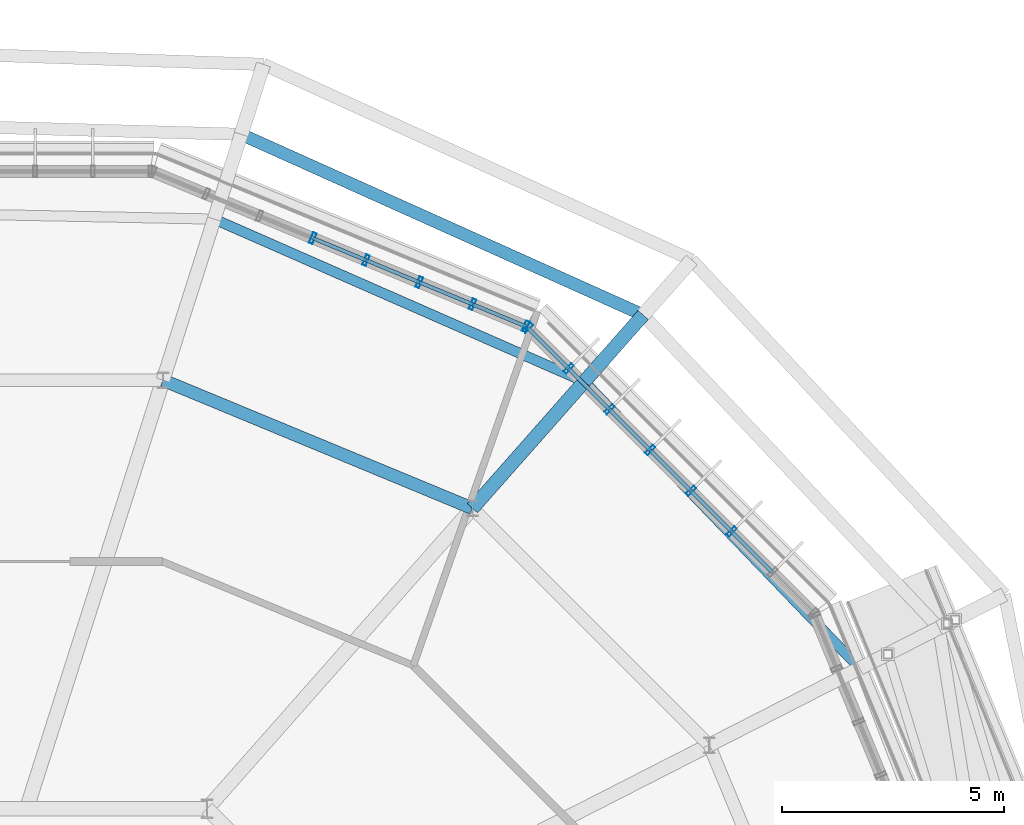
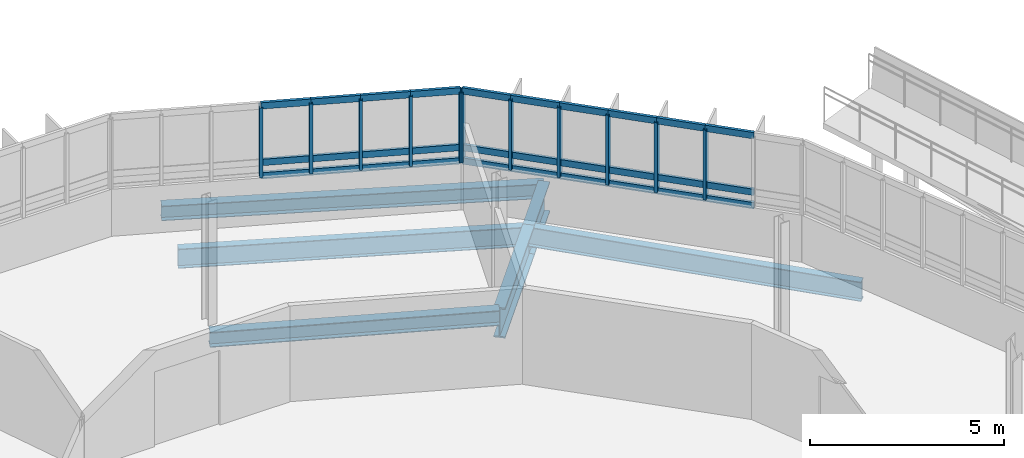
# One storey, part 22 of 38: 41 members, 6 beams, 2 elements without a shape of their own.
"""IFC4 building model written with IfcOpenShell, lengths in metres."""

import ifcopenshell
import ifcopenshell.guid

model = None  # the IFC model being written
_history = None  # IfcOwnerHistory: only IFC2X3 demands one
_inside = {}  # id of a spatial element -> (the spatial element, [elements in it])
_under = {}  # id of a project, library or spatial element -> (it, [spatial elements below it])
_declared = {}  # id of a project -> (the project, [libraries it declares])
_typed = {}  # id of a type object -> (the type object, [elements of that type])
_made_of = {}  # id of a material, layer set ... -> (it, [elements and type objects made of it])


def new_model(schema):
    """Start an empty IFC model of exactly this schema.

    Asked for "IFC4X3", IfcOpenShell would pick the latest addendum, in which some entities
    have other attributes; the version numbers below select the first issue.
    IFC2X3 requires an IfcOwnerHistory on every rooted entity: one is made here for all.
    """
    global model, _history
    if schema == "IFC4X3":
        model = ifcopenshell.file(schema_version=(4, 3, 0, 0))
    else:
        model = ifcopenshell.file(schema=schema)
    _inside.clear()
    _under.clear()
    _declared.clear()
    _typed.clear()
    _made_of.clear()
    _history = None
    if model.schema == "IFC2X3":
        org = make("IfcOrganization", Name="unknown")
        user = make(
            "IfcPersonAndOrganization",
            ThePerson=make("IfcPerson", FamilyName="unknown"),
            TheOrganization=org,
        )
        app = make(
            "IfcApplication",
            ApplicationDeveloper=org,
            Version="unknown",
            ApplicationFullName="unknown",
            ApplicationIdentifier="unknown",
        )
        _history = make(
            "IfcOwnerHistory",
            OwningUser=user,
            OwningApplication=app,
            ChangeAction="ADDED",
            CreationDate=0,
        )
    return model


def make(cls, **values):
    """One entity of the class cls with the attributes given. An attribute that is None is left unset."""
    return model.create_entity(
        cls, **{name: value for name, value in values.items() if value is not None}
    )


def rooted(cls, **values):
    """An entity with a GlobalId (a new one), such as an element, a storey or a relation."""
    return make(cls, GlobalId=ifcopenshell.guid.new(), OwnerHistory=_history, **values)


def si_unit(unit_type, name, prefix=None):
    """IfcSIUnit, for example si_unit("LENGTHUNIT", "METRE", prefix="MILLI")."""
    return make("IfcSIUnit", UnitType=unit_type, Prefix=prefix, Name=name)


def derived_unit(unit_type, elements):
    """IfcDerivedUnit: a product of units, each with its exponent."""
    return make(
        "IfcDerivedUnit",
        Elements=[
            make("IfcDerivedUnitElement", Unit=unit, Exponent=power)
            for unit, power in elements
        ],
        UnitType=unit_type,
    )


def assignment(units):
    """IfcUnitAssignment: the units of a project."""
    return None if units is None else make("IfcUnitAssignment", Units=units)


def point(xyz):
    """IfcCartesianPoint."""
    return None if xyz is None else make("IfcCartesianPoint", Coordinates=xyz)


def direction(xyz):
    """IfcDirection."""
    return None if xyz is None else make("IfcDirection", DirectionRatios=xyz)


def frame(location, z_axis=None, x_axis=None):
    """IfcAxis2Placement3D, a coordinate frame: its origin and axes. An axis left out is left unset."""
    return make(
        "IfcAxis2Placement3D",
        Location=point(location),
        Axis=direction(z_axis),
        RefDirection=direction(x_axis),
    )


def frame_2d(location, x_axis=None):
    """IfcAxis2Placement2D, a coordinate frame in the plane: its origin and x axis."""
    return make(
        "IfcAxis2Placement2D", Location=point(location), RefDirection=direction(x_axis)
    )


def origin():
    """The frame at (0, 0, 0) with its axes left unset."""
    return frame((0.0, 0.0, 0.0))


def origin_2d():
    """The frame at (0, 0) in the plane with its x axis left unset."""
    return frame_2d((0.0, 0.0))


def place(relative_to, where):
    """IfcLocalPlacement: puts the frame where relative to a parent placement (None: the world)."""
    return make(
        "IfcLocalPlacement", PlacementRelTo=relative_to, RelativePlacement=where
    )


def context(
    kind, dimensions, precision=None, world=None, true_north=None, identifier=None
):
    """IfcGeometricRepresentationContext, for example the 3D "Model" context."""
    return make(
        "IfcGeometricRepresentationContext",
        ContextIdentifier=identifier,
        ContextType=kind,
        CoordinateSpaceDimension=dimensions,
        Precision=precision,
        WorldCoordinateSystem=world,
        TrueNorth=true_north,
    )


def subcontext(parent, identifier, kind, view, scale=None):
    """IfcGeometricRepresentationSubContext, for example "Body" below "Model"."""
    return make(
        "IfcGeometricRepresentationSubContext",
        ContextIdentifier=identifier,
        ContextType=kind,
        ParentContext=parent,
        TargetScale=scale,
        TargetView=view,
    )


def project(units=None, contexts=None):
    """IfcProject with its units and contexts."""
    return rooted(
        "IfcProject",
        Name="project",
        RepresentationContexts=contexts,
        UnitsInContext=assignment(units),
    )


def spatial(cls, under=None, at=None, **own):
    """A site, building, storey or space (cls), placed at a placement, below another one or the project."""
    s = rooted(cls, ObjectPlacement=at, **own)
    if under is not None:
        _under.setdefault(under.id(), (under, []))[1].append(s)
    return s


def profile(cls, at=None, kind="AREA", **sizes):
    """A parametric profile (cls). Its sizes go by their IFC names, for example OverallWidth=200.0."""
    return make(cls, ProfileType=kind, Position=at, **sizes)


def hollow_rectangle(**sizes):
    """IfcRectangleHollowProfileDef."""
    return profile("IfcRectangleHollowProfileDef", **sizes)


def i_section(**sizes):
    """IfcIShapeProfileDef."""
    return profile("IfcIShapeProfileDef", **sizes)


def extrude(swept, where, along, depth):
    """IfcExtrudedAreaSolid: the profile swept, set in the frame where, extruded along a direction by depth."""
    return make(
        "IfcExtrudedAreaSolid",
        SweptArea=swept,
        Position=where,
        ExtrudedDirection=direction(along),
        Depth=depth,
    )


def shape(context_of_items, identifier, shape_type, items):
    """IfcShapeRepresentation: the items that make up one representation, for example the "Body"."""
    return make(
        "IfcShapeRepresentation",
        ContextOfItems=context_of_items,
        RepresentationIdentifier=identifier,
        RepresentationType=shape_type,
        Items=items,
    )


def material(Name=None, Category=None):
    """IfcMaterial."""
    return make("IfcMaterial", Name=Name, Category=Category)


def layer(
    of_material, thickness, ventilated=None, Name=None, Category=None, Priority=None
):
    """IfcMaterialLayer: one layer of a wall or slab, of a material (None: an air gap)."""
    return make(
        "IfcMaterialLayer",
        Material=of_material,
        LayerThickness=thickness,
        IsVentilated=ventilated,
        Name=Name,
        Category=Category,
        Priority=Priority,
    )


def layer_set(layers, Name=None):
    """IfcMaterialLayerSet."""
    return make("IfcMaterialLayerSet", MaterialLayers=layers, LayerSetName=Name)


def material_profile(
    of_material, cross_section, Name=None, Category=None, Priority=None
):
    """IfcMaterialProfile: a cross section and its material."""
    return make(
        "IfcMaterialProfile",
        Name=Name,
        Material=of_material,
        Profile=cross_section,
        Priority=Priority,
        Category=Category,
    )


def profile_set(profiles, Name=None, composite=None):
    """IfcMaterialProfileSet."""
    return make(
        "IfcMaterialProfileSet",
        Name=Name,
        MaterialProfiles=profiles,
        CompositeProfile=composite,
    )


def made_of(thing, what):
    """Note that an element or type object is made of a material, layer set ...; save() writes the relation."""
    if what is not None:
        _made_of.setdefault(what.id(), (what, []))[1].append(thing)
    return thing


def type_object(cls, material=None, **own):
    """A type object (cls), such as IfcWallType, which elements share."""
    return made_of(rooted(cls, **own), material)


def element(
    cls,
    number,
    at=None,
    inside=None,
    cuts=None,
    type_object=None,
    material=None,
    context=None,
    identifier="Body",
    shape_type=None,
    held_by="IfcProductDefinitionShape",
    body=None,
    shapes=None,
    **own,
):
    """One element of the class cls, such as IfcWall. Its Tag is "e" and its number.

    at: its placement. inside: the storey or other place that contains it. cuts: it is an
    opening in that element (IfcRelVoidsElement). A single representation is given by context,
    identifier, shape_type and body (its items); several are given by shapes. held_by: the class
    of the entity that holds the representations. save() writes the other relations.
    """
    e = rooted(cls, Tag="e%d" % number, ObjectPlacement=at, **own)
    if body is not None:
        shapes = [shape(context, identifier, shape_type, body)]
    if shapes is not None:
        e.Representation = make(held_by, Representations=shapes)
    if inside is not None:
        _inside.setdefault(inside.id(), (inside, []))[1].append(e)
    if cuts is not None:
        rooted(
            "IfcRelVoidsElement", RelatingBuildingElement=cuts, RelatedOpeningElement=e
        )
    if type_object is not None:
        _typed.setdefault(type_object.id(), (type_object, []))[1].append(e)
    return made_of(e, material)


def aggregate(whole, parts):
    """IfcRelAggregates: a whole, such as a stair, and the parts it consists of."""
    return rooted("IfcRelAggregates", RelatingObject=whole, RelatedObjects=parts)


def save(model, path):
    """Write the relations noted so far, then the file.

    IfcRelAggregates (storeys below a building ...), IfcRelContainedInSpatialStructure (elements
    in a storey), IfcRelDefinesByType, IfcRelAssociatesMaterial and IfcRelDeclares: one each for
    every whole, place, type object, material and project.
    """
    for whole, parts in _under.values():
        aggregate(whole, parts)
    for where, things in _inside.values():
        rooted(
            "IfcRelContainedInSpatialStructure",
            RelatedElements=things,
            RelatingStructure=where,
        )
    for kind, things in _typed.values():
        rooted("IfcRelDefinesByType", RelatedObjects=things, RelatingType=kind)
    for what, things in _made_of.values():
        rooted("IfcRelAssociatesMaterial", RelatedObjects=things, RelatingMaterial=what)
    for by, libraries in _declared.values():
        rooted("IfcRelDeclares", RelatingContext=by, RelatedDefinitions=libraries)
    model.write(path)


model = new_model("IFC4")

# Units and contexts
model_context = context("Model", 3, precision=1e-05, world=origin(), true_north=direction((0.0, 1.0)))
body_context = subcontext(model_context, "Body", "Model", "MODEL_VIEW")
ifc_project = project(units=[si_unit("LENGTHUNIT", "METRE"), si_unit("AREAUNIT", "SQUARE_METRE"), si_unit("VOLUMEUNIT", "CUBIC_METRE"), si_unit("PLANEANGLEUNIT", "RADIAN"), si_unit("MASSUNIT", "GRAM", prefix="KILO"), derived_unit("THERMALTRANSMITTANCEUNIT", [(si_unit("MASSUNIT", "GRAM", prefix="KILO"), 1), (si_unit("TIMEUNIT", "SECOND"), -3), (si_unit("THERMODYNAMICTEMPERATUREUNIT", "KELVIN"), -1)])], contexts=[model_context])

# Site, building, storey
site_placement = place(None, origin())
site = spatial("IfcSite", under=ifc_project, at=site_placement, CompositionType="ELEMENT")
building_placement = place(site_placement, origin())
building = spatial("IfcBuilding", under=site, at=building_placement, Name="Makaiwela Harbour Ferry Terminal", CompositionType="ELEMENT")
storey_placement = place(building_placement, frame((0.0, 0.0, 17.699951171875)))
storey = spatial("IfcBuildingStorey", under=building, at=storey_placement, Name="L04", CompositionType="ELEMENT", Elevation=17.699951171875)

# Curtain wall, members
ifc_material_1 = material(Name="Marine anodised aluminium 6063-T6", Category="aluminium")
ifc_layer = layer(ifc_material_1, 0.199951171875)
ifc_layer_set = layer_set([ifc_layer], Name="Marine anodised aluminium 6063-T6")
curtain_wall_type = type_object("IfcCurtainWallType", Name="ENV-CW-06", PredefinedType="USERDEFINED", material=ifc_layer_set)
curtain_wall_1_placement = place(storey_placement, origin())
curtain_wall_1 = element("IfcCurtainWall", 1, at=curtain_wall_1_placement, inside=storey, type_object=curtain_wall_type, Name="Unitised Curtain Wall CWA-044", ObjectType="UNITIZED CURTAIN WALL", PredefinedType="USERDEFINED")
ifc_material_profile_1 = material_profile(ifc_material_1, hollow_rectangle(XDim=0.0849609375, YDim=0.25, WallThickness=0.0048828125, at=origin_2d()), Name="CWM-250X85")
ifc_profile_set_1 = profile_set([ifc_material_profile_1], Name="Marine anodised aluminium 6063-T6")
member_type_1 = type_object("IfcMemberType", Name="CW-MUL-250", PredefinedType="MULLION", material=ifc_profile_set_1)
member_1_placement = place(storey_placement, frame((53.652587890625, 83.6240234375, 1.47998046875), z_axis=(0.0, 0.0, 1.0), x_axis=(-0.707106781187, 0.707106781187, 0.0)))
member_1 = element("IfcMember", 2, at=member_1_placement, type_object=member_type_1, Name="Curtain Wall Mullion CWA-044-3", PredefinedType="MULLION", context=body_context, shape_type="SweptSolid", body=[
    extrude(hollow_rectangle(XDim=0.0849609375, YDim=0.25, WallThickness=0.0048828125, at=origin_2d()), origin(), (0.0, 0.0, 1.0), 2.199951171875),
])
member_2_placement = place(storey_placement, frame((52.736572265625, 84.540283203125, 1.47998046875), z_axis=(0.0, 0.0, 1.0), x_axis=(-0.707106781187, 0.707106781187, 0.0)))
member_2 = element("IfcMember", 3, at=member_2_placement, type_object=member_type_1, Name="Curtain Wall Mullion CWA-044-4", PredefinedType="MULLION", context=body_context, shape_type="SweptSolid", body=[
    extrude(hollow_rectangle(XDim=0.0849609375, YDim=0.25, WallThickness=0.0048828125, at=origin_2d()), origin(), (0.0, 0.0, 1.0), 2.199951171875),
])
member_3_placement = place(storey_placement, frame((51.8203125, 85.45654296875, 1.47998046875), z_axis=(0.0, 0.0, 1.0), x_axis=(-0.707106781187, 0.707106781187, 0.0)))
member_3 = element("IfcMember", 4, at=member_3_placement, type_object=member_type_1, Name="Curtain Wall Mullion CWA-044-5", PredefinedType="MULLION", context=body_context, shape_type="SweptSolid", body=[
    extrude(hollow_rectangle(XDim=0.0849609375, YDim=0.25, WallThickness=0.0048828125, at=origin_2d()), origin(), (0.0, 0.0, 1.0), 2.199951171875),
])
member_4_placement = place(storey_placement, frame((50.904052734375, 86.372802734375, 1.47998046875), z_axis=(0.0, 0.0, 1.0), x_axis=(-0.707106781187, 0.707106781187, 0.0)))
member_4 = element("IfcMember", 5, at=member_4_placement, type_object=member_type_1, Name="Curtain Wall Mullion CWA-044-6", PredefinedType="MULLION", context=body_context, shape_type="SweptSolid", body=[
    extrude(hollow_rectangle(XDim=0.0849609375, YDim=0.25, WallThickness=0.0048828125, at=origin_2d()), origin(), (0.0, 0.0, 1.0), 2.199951171875),
])
member_5_placement = place(storey_placement, frame((49.98779296875, 87.2890625, 1.47998046875), z_axis=(0.0, 0.0, 1.0), x_axis=(-0.707106781187, 0.707106781187, 0.0)))
member_5 = element("IfcMember", 6, at=member_5_placement, type_object=member_type_1, Name="Curtain Wall Mullion CWA-044-7", PredefinedType="MULLION", context=body_context, shape_type="SweptSolid", body=[
    extrude(hollow_rectangle(XDim=0.0849609375, YDim=0.25, WallThickness=0.0048828125, at=origin_2d()), origin(), (0.0, 0.0, 1.0), 2.199951171875),
])
member_6_placement = place(storey_placement, frame((49.071533203125, 88.205078125, 1.47998046875), z_axis=(0.0, 0.0, 1.0), x_axis=(-0.707106781187, 0.707106781187, 0.0)))
member_6 = element("IfcMember", 7, at=member_6_placement, type_object=member_type_1, Name="Curtain Wall Mullion CWA-044-8", PredefinedType="MULLION", context=body_context, shape_type="SweptSolid", body=[
    extrude(hollow_rectangle(XDim=0.0849609375, YDim=0.25, WallThickness=0.0048828125, at=origin_2d()), origin(), (0.0, 0.0, 1.0), 2.199951171875),
])

curtain_wall_2_placement = place(storey_placement, origin())
curtain_wall_2 = element("IfcCurtainWall", 8, at=curtain_wall_2_placement, inside=storey, type_object=curtain_wall_type, Name="Unitised Curtain Wall CWA-045", ObjectType="UNITIZED CURTAIN WALL", PredefinedType="USERDEFINED")
member_7_placement = place(storey_placement, frame((49.022705078125, 88.23779296875, 1.47998046875), z_axis=(0.0, 0.0, 1.0), x_axis=(-0.923879532511, 0.382683432365, 0.0)))
member_7 = element("IfcMember", 9, at=member_7_placement, type_object=member_type_1, Name="Curtain Wall Mullion CWA-045-1", PredefinedType="MULLION", context=body_context, shape_type="SweptSolid", body=[
    extrude(hollow_rectangle(XDim=0.0849609375, YDim=0.25, WallThickness=0.0048828125, at=origin_2d()), origin(), (0.0, 0.0, 1.0), 2.199951171875),
])
member_8_placement = place(storey_placement, frame((47.825439453125, 88.73388671875, 1.47998046875), z_axis=(0.0, 0.0, 1.0), x_axis=(-0.923879532511, 0.382683432365, 0.0)))
member_8 = element("IfcMember", 10, at=member_8_placement, type_object=member_type_1, Name="Curtain Wall Mullion CWA-045-2", PredefinedType="MULLION", context=body_context, shape_type="SweptSolid", body=[
    extrude(hollow_rectangle(XDim=0.0849609375, YDim=0.25, WallThickness=0.0048828125, at=origin_2d()), origin(), (0.0, 0.0, 1.0), 2.199951171875),
])
member_9_placement = place(storey_placement, frame((46.62841796875, 89.2294921875, 1.47998046875), z_axis=(0.0, 0.0, 1.0), x_axis=(-0.923879532511, 0.382683432365, 0.0)))
member_9 = element("IfcMember", 11, at=member_9_placement, type_object=member_type_1, Name="Curtain Wall Mullion CWA-045-3", PredefinedType="MULLION", context=body_context, shape_type="SweptSolid", body=[
    extrude(hollow_rectangle(XDim=0.0849609375, YDim=0.25, WallThickness=0.0048828125, at=origin_2d()), origin(), (0.0, 0.0, 1.0), 2.199951171875),
])
member_10_placement = place(storey_placement, frame((45.431396484375, 89.7255859375, 1.47998046875), z_axis=(0.0, 0.0, 1.0), x_axis=(-0.923879532511, 0.382683432365, 0.0)))
member_10 = element("IfcMember", 12, at=member_10_placement, type_object=member_type_1, Name="Curtain Wall Mullion CWA-045-4", PredefinedType="MULLION", context=body_context, shape_type="SweptSolid", body=[
    extrude(hollow_rectangle(XDim=0.0849609375, YDim=0.25, WallThickness=0.0048828125, at=origin_2d()), origin(), (0.0, 0.0, 1.0), 2.199951171875),
])
member_11_placement = place(storey_placement, frame((44.234130859375, 90.22119140625, 1.47998046875), z_axis=(0.0, 0.0, 1.0), x_axis=(-0.923879532511, 0.382683432365, 0.0)))
member_11 = element("IfcMember", 13, at=member_11_placement, type_object=member_type_1, Name="Curtain Wall Mullion CWA-045-5", PredefinedType="MULLION", context=body_context, shape_type="SweptSolid", body=[
    extrude(hollow_rectangle(XDim=0.0849609375, YDim=0.25, WallThickness=0.0048828125, at=origin_2d()), origin(), (0.0, 0.0, 1.0), 2.199951171875),
])

# Member
ifc_material_profile_2 = material_profile(ifc_material_1, hollow_rectangle(XDim=0.0849609375, YDim=0.199951171875, WallThickness=0.0048828125, at=origin_2d()), Name="CWT-200X85")
ifc_profile_set_2 = profile_set([ifc_material_profile_2], Name="Marine anodised aluminium 6063-T6")
member_type_2 = type_object("IfcMemberType", Name="CW-TRN-200", PredefinedType="USERDEFINED", material=ifc_profile_set_2)
member_12_placement = place(storey_placement, frame((54.569091796875, 82.707763671875, 1.47998046875), z_axis=(-0.707200967903, 0.707012581923, 0.0), x_axis=(-0.707012581923, -0.707200967903, 0.0)))
member_12 = element("IfcMember", 14, at=member_12_placement, type_object=member_type_2, Name="Curtain Wall Transom CWA-044-2-1", ObjectType="TRANSOM", PredefinedType="USERDEFINED", context=body_context, shape_type="SweptSolid", body=[
    extrude(hollow_rectangle(XDim=0.0849609375, YDim=0.199951171875, WallThickness=0.0048828125, at=origin_2d()), origin(), (0.0, 0.0, 1.0), 1.2958984375),
])

member_13_placement = place(storey_placement, frame((54.569091796875, 82.707763671875, 1.900146484375), z_axis=(-0.707200967903, 0.707012581923, 0.0), x_axis=(-0.707012581923, -0.707200967903, 0.0)))
member_13 = element("IfcMember", 15, at=member_13_placement, type_object=member_type_2, Name="Curtain Wall Transom CWA-044-2-2", ObjectType="TRANSOM", PredefinedType="USERDEFINED", context=body_context, shape_type="SweptSolid", body=[
    extrude(hollow_rectangle(XDim=0.0849609375, YDim=0.199951171875, WallThickness=0.0048828125, at=origin_2d()), origin(), (0.0, 0.0, 1.0), 1.2958984375),
])

member_14_placement = place(storey_placement, frame((54.569091796875, 82.707763671875, 3.679931640625), z_axis=(-0.707200967903, 0.707012581923, 0.0), x_axis=(-0.707012581923, -0.707200967903, 0.0)))
member_14 = element("IfcMember", 16, at=member_14_placement, type_object=member_type_2, Name="Curtain Wall Transom CWA-044-2-3", ObjectType="TRANSOM", PredefinedType="USERDEFINED", context=body_context, shape_type="SweptSolid", body=[
    extrude(hollow_rectangle(XDim=0.0849609375, YDim=0.199951171875, WallThickness=0.0048828125, at=origin_2d()), origin(), (0.0, 0.0, 1.0), 1.2958984375),
])

member_15_placement = place(storey_placement, frame((53.652587890625, 83.6240234375, 1.47998046875), z_axis=(-0.707012556818, 0.707200993001, 0.0), x_axis=(-0.707200993001, -0.707012556818, 0.0)))
member_15 = element("IfcMember", 17, at=member_15_placement, type_object=member_type_2, Name="Curtain Wall Transom CWA-044-3-1", ObjectType="TRANSOM", PredefinedType="USERDEFINED", context=body_context, shape_type="SweptSolid", body=[
    extrude(hollow_rectangle(XDim=0.0849609375, YDim=0.199951171875, WallThickness=0.0048828125, at=origin_2d()), origin(), (0.0, 0.0, 1.0), 1.295654296875),
])

member_16_placement = place(storey_placement, frame((53.652587890625, 83.6240234375, 1.900146484375), z_axis=(-0.707012556818, 0.707200993001, 0.0), x_axis=(-0.707200993001, -0.707012556818, 0.0)))
member_16 = element("IfcMember", 18, at=member_16_placement, type_object=member_type_2, Name="Curtain Wall Transom CWA-044-3-2", ObjectType="TRANSOM", PredefinedType="USERDEFINED", context=body_context, shape_type="SweptSolid", body=[
    extrude(hollow_rectangle(XDim=0.0849609375, YDim=0.199951171875, WallThickness=0.0048828125, at=origin_2d()), origin(), (0.0, 0.0, 1.0), 1.295654296875),
])

member_17_placement = place(storey_placement, frame((53.652587890625, 83.6240234375, 3.679931640625), z_axis=(-0.707012556818, 0.707200993001, 0.0), x_axis=(-0.707200993001, -0.707012556818, 0.0)))
member_17 = element("IfcMember", 19, at=member_17_placement, type_object=member_type_2, Name="Curtain Wall Transom CWA-044-3-3", ObjectType="TRANSOM", PredefinedType="USERDEFINED", context=body_context, shape_type="SweptSolid", body=[
    extrude(hollow_rectangle(XDim=0.0849609375, YDim=0.199951171875, WallThickness=0.0048828125, at=origin_2d()), origin(), (0.0, 0.0, 1.0), 1.295654296875),
])

member_18_placement = place(storey_placement, frame((52.736572265625, 84.540283203125, 1.47998046875), z_axis=(-0.707106781187, 0.707106781187, 0.0), x_axis=(-0.707106781187, -0.707106781187, 0.0)))
member_18 = element("IfcMember", 20, at=member_18_placement, type_object=member_type_2, Name="Curtain Wall Transom CWA-044-4-1", ObjectType="TRANSOM", PredefinedType="USERDEFINED", context=body_context, shape_type="SweptSolid", body=[
    extrude(hollow_rectangle(XDim=0.0849609375, YDim=0.199951171875, WallThickness=0.0048828125, at=origin_2d()), origin(), (0.0, 0.0, 1.0), 1.2958984375),
])

member_19_placement = place(storey_placement, frame((52.736572265625, 84.540283203125, 1.900146484375), z_axis=(-0.707106781187, 0.707106781187, 0.0), x_axis=(-0.707106781187, -0.707106781187, 0.0)))
member_19 = element("IfcMember", 21, at=member_19_placement, type_object=member_type_2, Name="Curtain Wall Transom CWA-044-4-2", ObjectType="TRANSOM", PredefinedType="USERDEFINED", context=body_context, shape_type="SweptSolid", body=[
    extrude(hollow_rectangle(XDim=0.0849609375, YDim=0.199951171875, WallThickness=0.0048828125, at=origin_2d()), origin(), (0.0, 0.0, 1.0), 1.2958984375),
])

member_20_placement = place(storey_placement, frame((52.736572265625, 84.540283203125, 3.679931640625), z_axis=(-0.707106781187, 0.707106781187, 0.0), x_axis=(-0.707106781187, -0.707106781187, 0.0)))
member_20 = element("IfcMember", 22, at=member_20_placement, type_object=member_type_2, Name="Curtain Wall Transom CWA-044-4-3", ObjectType="TRANSOM", PredefinedType="USERDEFINED", context=body_context, shape_type="SweptSolid", body=[
    extrude(hollow_rectangle(XDim=0.0849609375, YDim=0.199951171875, WallThickness=0.0048828125, at=origin_2d()), origin(), (0.0, 0.0, 1.0), 1.2958984375),
])

member_21_placement = place(storey_placement, frame((51.8203125, 85.45654296875, 1.47998046875), z_axis=(-0.707106781187, 0.707106781187, 0.0), x_axis=(-0.707106781187, -0.707106781187, 0.0)))
member_21 = element("IfcMember", 23, at=member_21_placement, type_object=member_type_2, Name="Curtain Wall Transom CWA-044-5-1", ObjectType="TRANSOM", PredefinedType="USERDEFINED", context=body_context, shape_type="SweptSolid", body=[
    extrude(hollow_rectangle(XDim=0.0849609375, YDim=0.199951171875, WallThickness=0.0048828125, at=origin_2d()), origin(), (0.0, 0.0, 1.0), 1.2958984375),
])

member_22_placement = place(storey_placement, frame((51.8203125, 85.45654296875, 1.900146484375), z_axis=(-0.707106781187, 0.707106781187, 0.0), x_axis=(-0.707106781187, -0.707106781187, 0.0)))
member_22 = element("IfcMember", 24, at=member_22_placement, type_object=member_type_2, Name="Curtain Wall Transom CWA-044-5-2", ObjectType="TRANSOM", PredefinedType="USERDEFINED", context=body_context, shape_type="SweptSolid", body=[
    extrude(hollow_rectangle(XDim=0.0849609375, YDim=0.199951171875, WallThickness=0.0048828125, at=origin_2d()), origin(), (0.0, 0.0, 1.0), 1.2958984375),
])

member_23_placement = place(storey_placement, frame((51.8203125, 85.45654296875, 3.679931640625), z_axis=(-0.707106781187, 0.707106781187, 0.0), x_axis=(-0.707106781187, -0.707106781187, 0.0)))
member_23 = element("IfcMember", 25, at=member_23_placement, type_object=member_type_2, Name="Curtain Wall Transom CWA-044-5-3", ObjectType="TRANSOM", PredefinedType="USERDEFINED", context=body_context, shape_type="SweptSolid", body=[
    extrude(hollow_rectangle(XDim=0.0849609375, YDim=0.199951171875, WallThickness=0.0048828125, at=origin_2d()), origin(), (0.0, 0.0, 1.0), 1.2958984375),
])

member_24_placement = place(storey_placement, frame((50.904052734375, 86.372802734375, 1.47998046875), z_axis=(-0.707106781187, 0.707106781187, 0.0), x_axis=(-0.707106781187, -0.707106781187, 0.0)))
member_24 = element("IfcMember", 26, at=member_24_placement, type_object=member_type_2, Name="Curtain Wall Transom CWA-044-6-1", ObjectType="TRANSOM", PredefinedType="USERDEFINED", context=body_context, shape_type="SweptSolid", body=[
    extrude(hollow_rectangle(XDim=0.0849609375, YDim=0.199951171875, WallThickness=0.0048828125, at=origin_2d()), origin(), (0.0, 0.0, 1.0), 1.2958984375),
])

member_25_placement = place(storey_placement, frame((50.904052734375, 86.372802734375, 1.900146484375), z_axis=(-0.707106781187, 0.707106781187, 0.0), x_axis=(-0.707106781187, -0.707106781187, 0.0)))
member_25 = element("IfcMember", 27, at=member_25_placement, type_object=member_type_2, Name="Curtain Wall Transom CWA-044-6-2", ObjectType="TRANSOM", PredefinedType="USERDEFINED", context=body_context, shape_type="SweptSolid", body=[
    extrude(hollow_rectangle(XDim=0.0849609375, YDim=0.199951171875, WallThickness=0.0048828125, at=origin_2d()), origin(), (0.0, 0.0, 1.0), 1.2958984375),
])

member_26_placement = place(storey_placement, frame((50.904052734375, 86.372802734375, 3.679931640625), z_axis=(-0.707106781187, 0.707106781187, 0.0), x_axis=(-0.707106781187, -0.707106781187, 0.0)))
member_26 = element("IfcMember", 28, at=member_26_placement, type_object=member_type_2, Name="Curtain Wall Transom CWA-044-6-3", ObjectType="TRANSOM", PredefinedType="USERDEFINED", context=body_context, shape_type="SweptSolid", body=[
    extrude(hollow_rectangle(XDim=0.0849609375, YDim=0.199951171875, WallThickness=0.0048828125, at=origin_2d()), origin(), (0.0, 0.0, 1.0), 1.2958984375),
])

member_27_placement = place(storey_placement, frame((49.98779296875, 87.2890625, 1.47998046875), z_axis=(-0.707200993001, 0.707012556818, 0.0), x_axis=(-0.707012556818, -0.707200993001, 0.0)))
member_27 = element("IfcMember", 29, at=member_27_placement, type_object=member_type_2, Name="Curtain Wall Transom CWA-044-7-1", ObjectType="TRANSOM", PredefinedType="USERDEFINED", context=body_context, shape_type="SweptSolid", body=[
    extrude(hollow_rectangle(XDim=0.0849609375, YDim=0.199951171875, WallThickness=0.0048828125, at=origin_2d()), origin(), (0.0, 0.0, 1.0), 1.295654296875),
])

member_28_placement = place(storey_placement, frame((49.98779296875, 87.2890625, 1.900146484375), z_axis=(-0.707200993001, 0.707012556818, 0.0), x_axis=(-0.707012556818, -0.707200993001, 0.0)))
member_28 = element("IfcMember", 30, at=member_28_placement, type_object=member_type_2, Name="Curtain Wall Transom CWA-044-7-2", ObjectType="TRANSOM", PredefinedType="USERDEFINED", context=body_context, shape_type="SweptSolid", body=[
    extrude(hollow_rectangle(XDim=0.0849609375, YDim=0.199951171875, WallThickness=0.0048828125, at=origin_2d()), origin(), (0.0, 0.0, 1.0), 1.295654296875),
])

member_29_placement = place(storey_placement, frame((49.98779296875, 87.2890625, 3.679931640625), z_axis=(-0.707200993001, 0.707012556818, 0.0), x_axis=(-0.707012556818, -0.707200993001, 0.0)))
member_29 = element("IfcMember", 31, at=member_29_placement, type_object=member_type_2, Name="Curtain Wall Transom CWA-044-7-3", ObjectType="TRANSOM", PredefinedType="USERDEFINED", context=body_context, shape_type="SweptSolid", body=[
    extrude(hollow_rectangle(XDim=0.0849609375, YDim=0.199951171875, WallThickness=0.0048828125, at=origin_2d()), origin(), (0.0, 0.0, 1.0), 1.295654296875),
])

aggregate(curtain_wall_1, [member_1, member_2, member_3, member_4, member_5, member_6, member_12, member_13, member_14, member_15, member_16, member_17, member_18, member_19, member_20, member_21, member_22, member_23, member_24, member_25, member_26, member_27, member_28, member_29])

member_30_placement = place(storey_placement, frame((49.022705078125, 88.23779296875, 1.47998046875), z_axis=(-0.92383312361, 0.382795454155, 0.0), x_axis=(-0.382795454155, -0.92383312361, 0.0)))
member_30 = element("IfcMember", 32, at=member_30_placement, type_object=member_type_2, Name="Curtain Wall Transom CWA-045-1-1", ObjectType="TRANSOM", PredefinedType="USERDEFINED", context=body_context, shape_type="SweptSolid", body=[
    extrude(hollow_rectangle(XDim=0.0849609375, YDim=0.199951171875, WallThickness=0.0048828125, at=origin_2d()), origin(), (0.0, 0.0, 1.0), 1.2958984375),
])

member_31_placement = place(storey_placement, frame((49.022705078125, 88.23779296875, 1.900146484375), z_axis=(-0.92383312361, 0.382795454155, 0.0), x_axis=(-0.382795454155, -0.92383312361, 0.0)))
member_31 = element("IfcMember", 33, at=member_31_placement, type_object=member_type_2, Name="Curtain Wall Transom CWA-045-1-2", ObjectType="TRANSOM", PredefinedType="USERDEFINED", context=body_context, shape_type="SweptSolid", body=[
    extrude(hollow_rectangle(XDim=0.0849609375, YDim=0.199951171875, WallThickness=0.0048828125, at=origin_2d()), origin(), (0.0, 0.0, 1.0), 1.2958984375),
])

member_32_placement = place(storey_placement, frame((49.022705078125, 88.23779296875, 3.679931640625), z_axis=(-0.92383312361, 0.382795454155, 0.0), x_axis=(-0.382795454155, -0.92383312361, 0.0)))
member_32 = element("IfcMember", 34, at=member_32_placement, type_object=member_type_2, Name="Curtain Wall Transom CWA-045-1-3", ObjectType="TRANSOM", PredefinedType="USERDEFINED", context=body_context, shape_type="SweptSolid", body=[
    extrude(hollow_rectangle(XDim=0.0849609375, YDim=0.199951171875, WallThickness=0.0048828125, at=origin_2d()), origin(), (0.0, 0.0, 1.0), 1.2958984375),
])

member_33_placement = place(storey_placement, frame((47.825439453125, 88.73388671875, 1.47998046875), z_axis=(-0.923938757359, 0.382540419629, 0.0), x_axis=(-0.382540419629, -0.923938757359, 0.0)))
member_33 = element("IfcMember", 35, at=member_33_placement, type_object=member_type_2, Name="Curtain Wall Transom CWA-045-2-1", ObjectType="TRANSOM", PredefinedType="USERDEFINED", context=body_context, shape_type="SweptSolid", body=[
    extrude(hollow_rectangle(XDim=0.0849609375, YDim=0.199951171875, WallThickness=0.0048828125, at=origin_2d()), origin(), (0.0, 0.0, 1.0), 1.295654296875),
])

member_34_placement = place(storey_placement, frame((47.825439453125, 88.73388671875, 1.900146484375), z_axis=(-0.923938757359, 0.382540419629, 0.0), x_axis=(-0.382540419629, -0.923938757359, 0.0)))
member_34 = element("IfcMember", 36, at=member_34_placement, type_object=member_type_2, Name="Curtain Wall Transom CWA-045-2-2", ObjectType="TRANSOM", PredefinedType="USERDEFINED", context=body_context, shape_type="SweptSolid", body=[
    extrude(hollow_rectangle(XDim=0.0849609375, YDim=0.199951171875, WallThickness=0.0048828125, at=origin_2d()), origin(), (0.0, 0.0, 1.0), 1.295654296875),
])

member_35_placement = place(storey_placement, frame((47.825439453125, 88.73388671875, 3.679931640625), z_axis=(-0.923938757359, 0.382540419629, 0.0), x_axis=(-0.382540419629, -0.923938757359, 0.0)))
member_35 = element("IfcMember", 37, at=member_35_placement, type_object=member_type_2, Name="Curtain Wall Transom CWA-045-2-3", ObjectType="TRANSOM", PredefinedType="USERDEFINED", context=body_context, shape_type="SweptSolid", body=[
    extrude(hollow_rectangle(XDim=0.0849609375, YDim=0.199951171875, WallThickness=0.0048828125, at=origin_2d()), origin(), (0.0, 0.0, 1.0), 1.295654296875),
])

member_36_placement = place(storey_placement, frame((46.62841796875, 89.2294921875, 1.47998046875), z_axis=(-0.92380551211, 0.382862084562, 0.0), x_axis=(-0.382862084562, -0.92380551211, 0.0)))
member_36 = element("IfcMember", 38, at=member_36_placement, type_object=member_type_2, Name="Curtain Wall Transom CWA-045-3-1", ObjectType="TRANSOM", PredefinedType="USERDEFINED", context=body_context, shape_type="SweptSolid", body=[
    extrude(hollow_rectangle(XDim=0.0849609375, YDim=0.199951171875, WallThickness=0.0048828125, at=origin_2d()), origin(), (0.0, 0.0, 1.0), 1.295654296875),
])

member_37_placement = place(storey_placement, frame((46.62841796875, 89.2294921875, 1.900146484375), z_axis=(-0.92380551211, 0.382862084562, 0.0), x_axis=(-0.382862084562, -0.92380551211, 0.0)))
member_37 = element("IfcMember", 39, at=member_37_placement, type_object=member_type_2, Name="Curtain Wall Transom CWA-045-3-2", ObjectType="TRANSOM", PredefinedType="USERDEFINED", context=body_context, shape_type="SweptSolid", body=[
    extrude(hollow_rectangle(XDim=0.0849609375, YDim=0.199951171875, WallThickness=0.0048828125, at=origin_2d()), origin(), (0.0, 0.0, 1.0), 1.295654296875),
])

member_38_placement = place(storey_placement, frame((46.62841796875, 89.2294921875, 3.679931640625), z_axis=(-0.92380551211, 0.382862084562, 0.0), x_axis=(-0.382862084562, -0.92380551211, 0.0)))
member_38 = element("IfcMember", 40, at=member_38_placement, type_object=member_type_2, Name="Curtain Wall Transom CWA-045-3-3", ObjectType="TRANSOM", PredefinedType="USERDEFINED", context=body_context, shape_type="SweptSolid", body=[
    extrude(hollow_rectangle(XDim=0.0849609375, YDim=0.199951171875, WallThickness=0.0048828125, at=origin_2d()), origin(), (0.0, 0.0, 1.0), 1.295654296875),
])

member_39_placement = place(storey_placement, frame((45.431396484375, 89.7255859375, 1.47998046875), z_axis=(-0.923966326456, 0.382473826, 0.0), x_axis=(-0.382473826, -0.923966326456, 0.0)))
member_39 = element("IfcMember", 41, at=member_39_placement, type_object=member_type_2, Name="Curtain Wall Transom CWA-045-4-1", ObjectType="TRANSOM", PredefinedType="USERDEFINED", context=body_context, shape_type="SweptSolid", body=[
    extrude(hollow_rectangle(XDim=0.0849609375, YDim=0.199951171875, WallThickness=0.0048828125, at=origin_2d()), origin(), (0.0, 0.0, 1.0), 1.2958984375),
])

member_40_placement = place(storey_placement, frame((45.431396484375, 89.7255859375, 1.900146484375), z_axis=(-0.923966326456, 0.382473826, 0.0), x_axis=(-0.382473826, -0.923966326456, 0.0)))
member_40 = element("IfcMember", 42, at=member_40_placement, type_object=member_type_2, Name="Curtain Wall Transom CWA-045-4-2", ObjectType="TRANSOM", PredefinedType="USERDEFINED", context=body_context, shape_type="SweptSolid", body=[
    extrude(hollow_rectangle(XDim=0.0849609375, YDim=0.199951171875, WallThickness=0.0048828125, at=origin_2d()), origin(), (0.0, 0.0, 1.0), 1.2958984375),
])

member_41_placement = place(storey_placement, frame((45.431396484375, 89.7255859375, 3.679931640625), z_axis=(-0.923966326456, 0.382473826, 0.0), x_axis=(-0.382473826, -0.923966326456, 0.0)))
member_41 = element("IfcMember", 43, at=member_41_placement, type_object=member_type_2, Name="Curtain Wall Transom CWA-045-4-3", ObjectType="TRANSOM", PredefinedType="USERDEFINED", context=body_context, shape_type="SweptSolid", body=[
    extrude(hollow_rectangle(XDim=0.0849609375, YDim=0.199951171875, WallThickness=0.0048828125, at=origin_2d()), origin(), (0.0, 0.0, 1.0), 1.2958984375),
])

aggregate(curtain_wall_2, [member_7, member_8, member_9, member_10, member_11, member_30, member_31, member_32, member_33, member_34, member_35, member_36, member_37, member_38, member_39, member_40, member_41])

# Beams
ifc_material_2 = material(Name="Steel ASTM A992 Grade 50", Category="steel")
ifc_material_profile_3 = material_profile(ifc_material_2, i_section(OverallWidth=0.280029296875, OverallDepth=0.462890625, WebThickness=0.0107421875, FlangeThickness=0.017333984375, at=origin_2d()), Name="W18X76")
ifc_profile_set_3 = profile_set([ifc_material_profile_3], Name="Steel ASTM A992 Grade 50")
beam_type_1 = type_object("IfcBeamType", Name="STR-BM-W18X76", PredefinedType="BEAM", material=ifc_profile_set_3)
beam_1_placement = place(storey_placement, frame((51.662109375, 88.494384765625, -0.486572265625), z_axis=(-0.912127447923, 0.409906719567, 0.0), x_axis=(-0.409906719567, -0.912127447923, 0.0)))
element("IfcBeam", 44, at=beam_1_placement, inside=storey, type_object=beam_type_1, Name="Drum stage2 tie girder 458", PredefinedType="BEAM", context=body_context, shape_type="SweptSolid", body=[
    extrude(i_section(OverallWidth=0.280029296875, OverallDepth=0.462890625, WebThickness=0.0107421875, FlangeThickness=0.017333984375, at=origin_2d()), origin(), (0.0, 0.0, 1.0), 9.90966796875),
])
ifc_material_profile_4 = material_profile(ifc_material_2, i_section(OverallWidth=0.22900390625, OverallDepth=0.612060546875, WebThickness=0.011962890625, FlangeThickness=0.01953125, at=origin_2d()), Name="W24X84")
ifc_profile_set_4 = profile_set([ifc_material_profile_4], Name="Steel ASTM A992 Grade 50")
beam_type_2 = type_object("IfcBeamType", Name="STR-GRD-W24X84", PredefinedType="USERDEFINED", material=ifc_profile_set_4)
beam_2_placement = place(storey_placement, frame((56.5322265625, 80.549560546875, -0.56103515625), z_axis=(-0.692888186671, 0.721045047672, 0.0), x_axis=(-0.721045047672, -0.692888186671, 0.0)))
element("IfcBeam", 45, at=beam_2_placement, inside=storey, type_object=beam_type_2, Name="Drum overhang tie girder 455", ObjectType="GIRDER", PredefinedType="USERDEFINED", context=body_context, shape_type="SweptSolid", body=[
    extrude(i_section(OverallWidth=0.22900390625, OverallDepth=0.612060546875, WebThickness=0.011962890625, FlangeThickness=0.01953125, at=origin_2d()), origin(), (0.0, 0.0, 1.0), 8.939453125),
])
beam_3_placement = place(storey_placement, frame((50.338134765625, 86.995361328125, -0.56103515625), z_axis=(-0.915567564956, 0.402164187864, 0.0), x_axis=(-0.402164187864, -0.915567564956, 0.0)))
element("IfcBeam", 46, at=beam_3_placement, inside=storey, type_object=beam_type_2, Name="Drum overhang tie girder 457", ObjectType="GIRDER", PredefinedType="USERDEFINED", context=body_context, shape_type="SweptSolid", body=[
    extrude(i_section(OverallWidth=0.22900390625, OverallDepth=0.612060546875, WebThickness=0.011962890625, FlangeThickness=0.01953125, at=origin_2d()), origin(), (0.0, 0.0, 1.0), 9.08837890625),
])
ifc_material_profile_5 = material_profile(ifc_material_2, i_section(OverallWidth=0.31005859375, OverallDepth=0.949951171875, WebThickness=0.0244140625, FlangeThickness=0.0439453125, at=origin_2d()), Name="W36X256")
ifc_profile_set_5 = profile_set([ifc_material_profile_5], Name="Steel ASTM A992 Grade 50")
beam_type_3 = type_object("IfcBeamType", Name="STR-GRD-W36X256", PredefinedType="USERDEFINED", material=ifc_profile_set_5)
beam_4_placement = place(storey_placement, frame((47.822509765625, 84.1474609375, -0.72998046875), z_axis=(0.662031662914, 0.74947586839, 0.0), x_axis=(-0.74947586839, 0.662031662914, 0.0)))
element("IfcBeam", 47, at=beam_4_placement, inside=storey, type_object=beam_type_3, Name="Drum radial overhang 405", ObjectType="GIRDER", PredefinedType="USERDEFINED", context=body_context, shape_type="SweptSolid", body=[
    extrude(i_section(OverallWidth=0.31005859375, OverallDepth=0.949951171875, WebThickness=0.0244140625, FlangeThickness=0.0439453125, at=origin_2d()), origin(), (0.0, 0.0, 1.0), 3.7998046875),
])
beam_5_placement = place(storey_placement, frame((50.338134765625, 86.995361328125, -0.72998046875), z_axis=(0.661988956977, 0.749513589497, 0.0), x_axis=(-0.749513589497, 0.661988956977, 0.0)))
element("IfcBeam", 48, at=beam_5_placement, inside=storey, type_object=beam_type_3, Name="Drum overhang radial girder 406", ObjectType="GIRDER", PredefinedType="USERDEFINED", context=body_context, shape_type="SweptSolid", body=[
    extrude(i_section(OverallWidth=0.31005859375, OverallDepth=0.949951171875, WebThickness=0.0244140625, FlangeThickness=0.0439453125, at=origin_2d()), origin(), (0.0, 0.0, 1.0), 2.0),
])
ifc_material_profile_6 = material_profile(ifc_material_2, i_section(OverallWidth=0.283935546875, OverallDepth=0.47607421875, WebThickness=0.014892578125, FlangeThickness=0.02392578125, at=origin_2d()), Name="W18X106")
ifc_profile_set_6 = profile_set([ifc_material_profile_6], Name="Steel ASTM A992 Grade 50")
beam_type_4 = type_object("IfcBeamType", Name="STR-SPN-W18X106", PredefinedType="SPANDREL", material=ifc_profile_set_6)
beam_6_placement = place(storey_placement, frame((47.822509765625, 84.1474609375, -0.492919921875), z_axis=(-0.923877743092, 0.382687752376, 0.0), x_axis=(-0.382687752376, -0.923877743092, 0.0)))
element("IfcBeam", 49, at=beam_6_placement, inside=storey, type_object=beam_type_4, Name="Drum column ring girder 383", PredefinedType="SPANDREL", context=body_context, shape_type="SweptSolid", body=[
    extrude(i_section(OverallWidth=0.283935546875, OverallDepth=0.47607421875, WebThickness=0.014892578125, FlangeThickness=0.02392578125, at=origin_2d()), origin(), (0.0, 0.0, 1.0), 7.530517578125),
])

save(model, "model.ifc")
